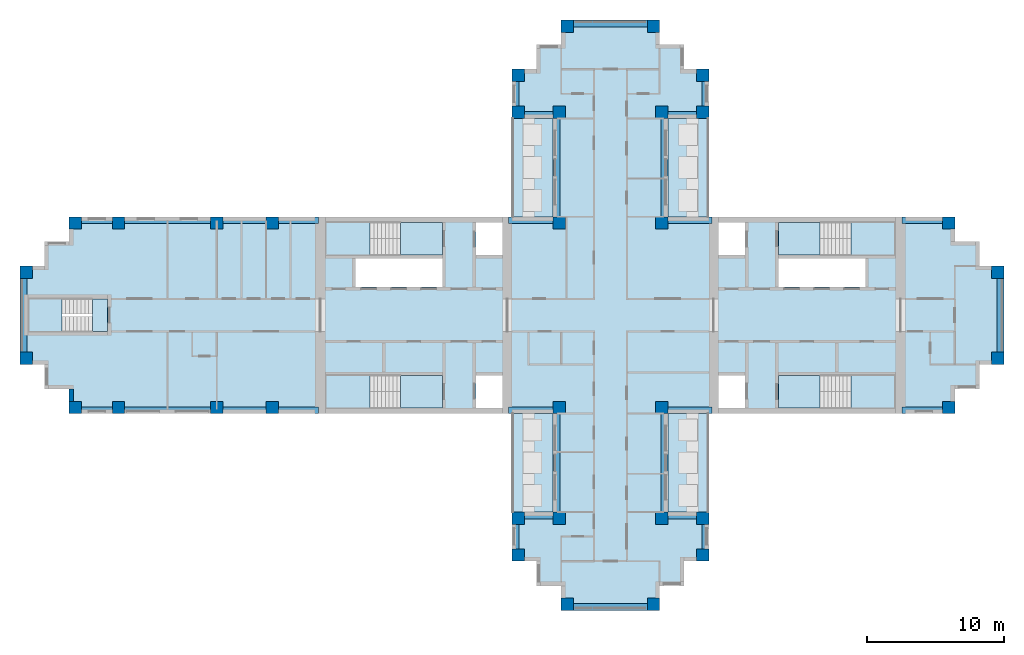
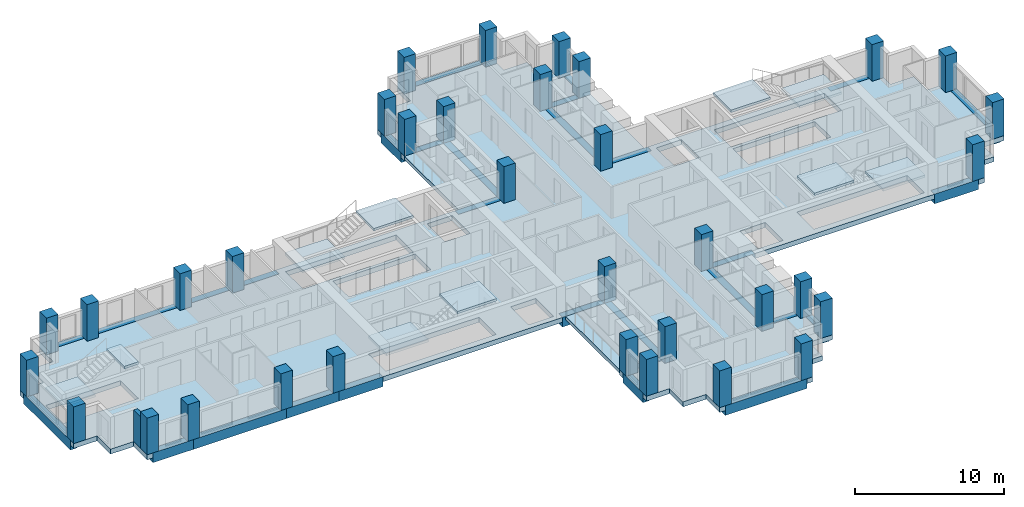
# One storey, part 1 of 11: 34 columns, 30 beams, 15 slabs, 1 wall, 5 elements without a shape of their own.
"""IFC4 building model written with IfcOpenShell, lengths in metres."""

from ifc_helpers import new_model, si_unit, direction, frame, frame_2d, origin, origin_2d, place, context, subcontext, project, spatial, polyline, rectangle, outline, extrude, material, layer, layer_set, material_profile, profile_set, type_object, element, aggregate, save


model = new_model("IFC4")

# Units and contexts
model_context = context("Model", 3, precision=1e-05, world=origin(), true_north=direction((0.0, 1.0)))
body_context = subcontext(model_context, "Body", "Model", "MODEL_VIEW")
ifc_project = project(units=[si_unit("LENGTHUNIT", "METRE"), si_unit("AREAUNIT", "SQUARE_METRE"), si_unit("VOLUMEUNIT", "CUBIC_METRE"), si_unit("PLANEANGLEUNIT", "RADIAN"), si_unit("MASSUNIT", "GRAM", prefix="KILO")], contexts=[model_context])

# Site, building, storey
site_placement = place(None, origin())
site = spatial("IfcSite", under=ifc_project, at=site_placement, CompositionType="ELEMENT")
building_placement = place(site_placement, origin())
building = spatial("IfcBuilding", under=site, at=building_placement, Name="Fustian Cross Tower", CompositionType="ELEMENT")
storey_placement = place(building_placement, frame((0.0, 0.0, 173.699951171875)))
storey = spatial("IfcBuildingStorey", under=building, at=storey_placement, Name="L54", CompositionType="ELEMENT", Elevation=173.699951171875)

# Columns
ifc_material_1 = material(Name="Concrete C40/50", Category="concrete")
ifc_material_profile_1 = material_profile(ifc_material_1, rectangle(XDim=0.89990234375, YDim=0.89990234375, at=origin_2d()), Name="RC 900x900")
ifc_profile_set_1 = profile_set([ifc_material_profile_1], Name="Concrete C40/50")
column_type = type_object("IfcColumnType", Name="COLUMN RC 900x900 C40/50", PredefinedType="COLUMN", material=ifc_profile_set_1)
for number, where, z_axis, x_axis, name in (
    (1, (-42.75, -3.14990234375, 0.0), (0.0, 0.0, 1.0), (1.0, 0.0, 0.0), "COLUMN 001"),
    (2, (-42.75, 3.14990234375, 0.0), (0.0, 0.0, 1.0), (1.0, 0.0, 0.0), "COLUMN 002"),
    (3, (-39.14990234375, -6.75, 0.0), (0.0, 0.0, 1.0), (1.0, 0.0, 0.0), "COLUMN 003"),
    (4, (-39.14990234375, 6.75, 0.0), (0.0, 0.0, 1.0), (1.0, 0.0, 0.0), "COLUMN 004"),
    (5, (-36.0, -6.75, 0.0), (0.0, 0.0, 1.0), (1.0, 0.0, 0.0), "COLUMN 005"),
    (6, (-36.0, 6.75, 0.0), (0.0, 0.0, 1.0), (1.0, 0.0, 0.0), "COLUMN 006"),
    (7, (-28.800048828125, -6.75, 0.0), (0.0, 0.0, 1.0), (1.0, 0.0, 0.0), "COLUMN 007"),
    (8, (-28.800048828125, 6.75, 0.0), (0.0, 0.0, 1.0), (1.0, 0.0, 0.0), "COLUMN 010"),
    (9, (-24.75, -6.75, 0.0), (0.0, 0.0, 1.0), (1.0, 0.0, 0.0), "COLUMN 011"),
    (10, (-24.75, 6.75, 0.0), (0.0, 0.0, 1.0), (1.0, 0.0, 0.0), "COLUMN 012"),
    (11, (-6.75, -17.550048828125, 0.0), (0.0, 0.0, 1.0), (1.0, 0.0, 0.0), "COLUMN 017"),
    (12, (-6.75, -14.85009765625, 0.0), (0.0, 0.0, 1.0), (1.0, 0.0, 0.0), "COLUMN 018"),
    (13, (-6.75, 14.85009765625, 0.0), (0.0, 0.0, 1.0), (1.0, 0.0, 0.0), "COLUMN 019"),
    (14, (-6.75, 17.550048828125, 0.0), (0.0, 0.0, 1.0), (1.0, 0.0, 0.0), "COLUMN 020"),
    (15, (-3.75, -14.85009765625, 0.0), (0.0, 0.0, 1.0), (1.0, 0.0, 0.0), "COLUMN 025"),
    (16, (-3.75, -6.75, 0.0), (0.0, 0.0, 1.0), (1.0, 0.0, 0.0), "COLUMN 026"),
    (17, (-3.75, 6.75, 0.0), (0.0, 0.0, 1.0), (1.0, 0.0, 0.0), "COLUMN 027"),
    (18, (-3.75, 14.85009765625, 0.0), (0.0, 0.0, 1.0), (1.0, 0.0, 0.0), "COLUMN 028"),
    (19, (-3.14990234375, -21.14990234375, 0.0), (0.0, 0.0, 1.0), (1.0, 0.0, 0.0), "COLUMN 030"),
    (20, (-3.14990234375, 21.14990234375, 0.0), (0.0, 0.0, 1.0), (1.0, 0.0, 0.0), "COLUMN 031"),
    (21, (3.14990234375, -21.14990234375, 0.0), (0.0, 0.0, 1.0), (1.0, 0.0, 0.0), "COLUMN 034"),
    (22, (3.14990234375, 21.14990234375, 0.0), (0.0, 0.0, 1.0), (1.0, 0.0, 0.0), "COLUMN 035"),
    (23, (3.75, -14.85009765625, 0.0), (0.0, 0.0, 1.0), (1.0, 0.0, 0.0), "COLUMN 037"),
    (24, (3.75, -6.75, 0.0), (0.0, 0.0, 1.0), (1.0, 0.0, 0.0), "COLUMN 038"),
    (25, (3.75, 6.75, 0.0), (0.0, 0.0, 1.0), (1.0, 0.0, 0.0), "COLUMN 039"),
    (26, (3.75, 14.85009765625, 0.0), (0.0, 0.0, 1.0), (1.0, 0.0, 0.0), "COLUMN 040"),
    (27, (6.75, -17.550048828125, 0.0), (0.0, 0.0, 1.0), (1.0, 0.0, 0.0), "COLUMN 045"),
    (28, (6.75, -14.85009765625, 0.0), (0.0, 0.0, 1.0), (1.0, 0.0, 0.0), "COLUMN 046"),
    (29, (6.75, 14.85009765625, 0.0), (0.0, 0.0, 1.0), (1.0, 0.0, 0.0), "COLUMN 047"),
    (30, (6.75, 17.550048828125, 0.0), (0.0, 0.0, 1.0), (1.0, 0.0, 0.0), "COLUMN 048"),
    (31, (24.75, -6.75, 0.0), (0.0, 0.0, 1.0), (1.0, 0.0, 0.0), "COLUMN 053"),
    (32, (24.75, 6.75, 0.0), (0.0, 0.0, 1.0), (1.0, 0.0, 0.0), "COLUMN 054"),
    (33, (28.35009765625, -3.14990234375, 0.0), (0.0, 0.0, 1.0), (1.0, 0.0, 0.0), "COLUMN 056"),
    (34, (28.35009765625, 3.14990234375, 0.0), (0.0, 0.0, 1.0), (1.0, 0.0, 0.0), "COLUMN 057"),
):
    element("IfcColumn", number, at=place(storey_placement, frame(where, z_axis=z_axis, x_axis=x_axis)), inside=storey, type_object=column_type, Name=name, PredefinedType="COLUMN", context=body_context, shape_type="SweptSolid", body=[
        extrude(rectangle(XDim=0.89990234375, YDim=0.89990234375, at=origin_2d()), origin(), (0.0, 0.0, 1.0), 3.0),
    ])

# Beams
ifc_material_2 = material(Name="Concrete C50/60", Category="concrete")
ifc_material_profile_2 = material_profile(ifc_material_2, rectangle(XDim=0.5, YDim=0.800048828125, at=origin_2d()), Name="RC 500x800")
ifc_profile_set_2 = profile_set([ifc_material_profile_2], Name="Concrete C50/60")
beam_type = type_object("IfcBeamType", Name="EDGE BEAM RC 500x800 C50/60", PredefinedType="SPANDREL", material=ifc_profile_set_2)
beam_1_placement = place(storey_placement, frame((21.35009765625, -6.949951171875, -0.39990234375), z_axis=(1.0, 0.0, 0.0), x_axis=(0.0, 1.0, 0.0)))
element("IfcBeam", 35, at=beam_1_placement, inside=storey, type_object=beam_type, Name="EDGE BEAM L54-01", PredefinedType="SPANDREL", context=body_context, shape_type="SweptSolid", body=[
    extrude(rectangle(XDim=0.5, YDim=0.800048828125, at=origin_2d()), origin(), (0.0, 0.0, 1.0), 3.39990234375),
])
beam_2_placement = place(storey_placement, frame((28.550048828125, -3.14990234375, -0.39990234375), z_axis=(0.0, 1.0, 0.0), x_axis=(-1.0, 0.0, 0.0)))
element("IfcBeam", 36, at=beam_2_placement, inside=storey, type_object=beam_type, Name="EDGE BEAM L54-02", PredefinedType="SPANDREL", context=body_context, shape_type="SweptSolid", body=[
    extrude(rectangle(XDim=0.5, YDim=0.800048828125, at=origin_2d()), origin(), (0.0, 0.0, 1.0), 6.2998046875),
])
beam_3_placement = place(storey_placement, frame((24.75, 6.949951171875, -0.39990234375), z_axis=(-1.0, 0.0, 0.0), x_axis=(0.0, -1.0, 0.0)))
element("IfcBeam", 37, at=beam_3_placement, inside=storey, type_object=beam_type, Name="EDGE BEAM L54-03", PredefinedType="SPANDREL", context=body_context, shape_type="SweptSolid", body=[
    extrude(rectangle(XDim=0.5, YDim=0.800048828125, at=origin_2d()), origin(), (0.0, 0.0, 1.0), 3.39990234375),
])
beam_4_placement = place(storey_placement, frame((7.449951171875, 6.949951171875, -0.39990234375), z_axis=(-1.0, 0.0, 0.0), x_axis=(0.0, -1.0, 0.0)))
element("IfcBeam", 38, at=beam_4_placement, inside=storey, type_object=beam_type, Name="EDGE BEAM L54-04", PredefinedType="SPANDREL", context=body_context, shape_type="SweptSolid", body=[
    extrude(rectangle(XDim=0.5, YDim=0.800048828125, at=origin_2d()), origin(), (0.0, 0.0, 1.0), 3.699951171875),
])
beam_5_placement = place(storey_placement, frame((3.949951171875, 6.75, -0.39990234375), z_axis=(0.0, 1.0, 0.0), x_axis=(-1.0, 0.0, 0.0)))
element("IfcBeam", 39, at=beam_5_placement, inside=storey, type_object=beam_type, Name="EDGE BEAM L54-05", PredefinedType="SPANDREL", context=body_context, shape_type="SweptSolid", body=[
    extrude(rectangle(XDim=0.5, YDim=0.800048828125, at=origin_2d()), origin(), (0.0, 0.0, 1.0), 8.10009765625),
])
beam_6_placement = place(storey_placement, frame((3.75, 14.64990234375, -0.39990234375), z_axis=(1.0, 0.0, 0.0), x_axis=(0.0, 1.0, 0.0)))
element("IfcBeam", 40, at=beam_6_placement, inside=storey, type_object=beam_type, Name="EDGE BEAM L54-06", PredefinedType="SPANDREL", context=body_context, shape_type="SweptSolid", body=[
    extrude(rectangle(XDim=0.5, YDim=0.800048828125, at=origin_2d()), origin(), (0.0, 0.0, 1.0), 3.0),
])
beam_7_placement = place(storey_placement, frame((6.949951171875, 14.85009765625, -0.39990234375), z_axis=(0.0, 1.0, 0.0), x_axis=(-1.0, 0.0, 0.0)))
element("IfcBeam", 41, at=beam_7_placement, inside=storey, type_object=beam_type, Name="EDGE BEAM L54-07", PredefinedType="SPANDREL", context=body_context, shape_type="SweptSolid", body=[
    extrude(rectangle(XDim=0.5, YDim=0.800048828125, at=origin_2d()), origin(), (0.0, 0.0, 1.0), 2.699951171875),
])
beam_8_placement = place(storey_placement, frame((3.14990234375, 21.35009765625, -0.39990234375), z_axis=(-1.0, 0.0, 0.0), x_axis=(0.0, -1.0, 0.0)))
element("IfcBeam", 42, at=beam_8_placement, inside=storey, type_object=beam_type, Name="EDGE BEAM L54-08", PredefinedType="SPANDREL", context=body_context, shape_type="SweptSolid", body=[
    extrude(rectangle(XDim=0.5, YDim=0.800048828125, at=origin_2d()), origin(), (0.0, 0.0, 1.0), 6.2998046875),
])
beam_9_placement = place(storey_placement, frame((-6.949951171875, 17.550048828125, -0.39990234375), z_axis=(0.0, -1.0, 0.0), x_axis=(1.0, 0.0, 0.0)))
element("IfcBeam", 43, at=beam_9_placement, inside=storey, type_object=beam_type, Name="EDGE BEAM L54-09", PredefinedType="SPANDREL", context=body_context, shape_type="SweptSolid", body=[
    extrude(rectangle(XDim=0.5, YDim=0.800048828125, at=origin_2d()), origin(), (0.0, 0.0, 1.0), 2.699951171875),
])
beam_10_placement = place(storey_placement, frame((-6.75, 14.64990234375, -0.39990234375), z_axis=(1.0, 0.0, 0.0), x_axis=(0.0, 1.0, 0.0)))
element("IfcBeam", 44, at=beam_10_placement, inside=storey, type_object=beam_type, Name="EDGE BEAM L54-10", PredefinedType="SPANDREL", context=body_context, shape_type="SweptSolid", body=[
    extrude(rectangle(XDim=0.5, YDim=0.800048828125, at=origin_2d()), origin(), (0.0, 0.0, 1.0), 3.0),
])
beam_11_placement = place(storey_placement, frame((-3.949951171875, 14.85009765625, -0.39990234375), z_axis=(0.0, -1.0, 0.0), x_axis=(1.0, 0.0, 0.0)))
element("IfcBeam", 45, at=beam_11_placement, inside=storey, type_object=beam_type, Name="EDGE BEAM L54-11", PredefinedType="SPANDREL", context=body_context, shape_type="SweptSolid", body=[
    extrude(rectangle(XDim=0.5, YDim=0.800048828125, at=origin_2d()), origin(), (0.0, 0.0, 1.0), 8.10009765625),
])
beam_12_placement = place(storey_placement, frame((-3.75, 6.949951171875, -0.39990234375), z_axis=(-1.0, 0.0, 0.0), x_axis=(0.0, -1.0, 0.0)))
element("IfcBeam", 46, at=beam_12_placement, inside=storey, type_object=beam_type, Name="EDGE BEAM L54-12", PredefinedType="SPANDREL", context=body_context, shape_type="SweptSolid", body=[
    extrude(rectangle(XDim=0.5, YDim=0.800048828125, at=origin_2d()), origin(), (0.0, 0.0, 1.0), 3.699951171875),
])
beam_13_placement = place(storey_placement, frame((-21.35009765625, 6.949951171875, -0.39990234375), z_axis=(-1.0, 0.0, 0.0), x_axis=(0.0, -1.0, 0.0)))
element("IfcBeam", 47, at=beam_13_placement, inside=storey, type_object=beam_type, Name="EDGE BEAM L54-13", PredefinedType="SPANDREL", context=body_context, shape_type="SweptSolid", body=[
    extrude(rectangle(XDim=0.5, YDim=0.800048828125, at=origin_2d()), origin(), (0.0, 0.0, 1.0), 3.39990234375),
])
beam_14_placement = place(storey_placement, frame((-24.75, 6.949951171875, -0.39990234375), z_axis=(-1.0, 0.0, 0.0), x_axis=(0.0, -1.0, 0.0)))
element("IfcBeam", 48, at=beam_14_placement, inside=storey, type_object=beam_type, Name="EDGE BEAM L54-14", PredefinedType="SPANDREL", context=body_context, shape_type="SweptSolid", body=[
    extrude(rectangle(XDim=0.5, YDim=0.800048828125, at=origin_2d()), origin(), (0.0, 0.0, 1.0), 4.050048828125),
])
beam_15_placement = place(storey_placement, frame((-28.800048828125, 6.949951171875, -0.39990234375), z_axis=(-1.0, 0.0, 0.0), x_axis=(0.0, -1.0, 0.0)))
element("IfcBeam", 49, at=beam_15_placement, inside=storey, type_object=beam_type, Name="EDGE BEAM L54-15", PredefinedType="SPANDREL", context=body_context, shape_type="SweptSolid", body=[
    extrude(rectangle(XDim=0.5, YDim=0.800048828125, at=origin_2d()), origin(), (0.0, 0.0, 1.0), 7.199951171875),
])
beam_16_placement = place(storey_placement, frame((-36.0, 6.949951171875, -0.39990234375), z_axis=(-1.0, 0.0, 0.0), x_axis=(0.0, -1.0, 0.0)))
element("IfcBeam", 50, at=beam_16_placement, inside=storey, type_object=beam_type, Name="EDGE BEAM L54-16", PredefinedType="SPANDREL", context=body_context, shape_type="SweptSolid", body=[
    extrude(rectangle(XDim=0.5, YDim=0.800048828125, at=origin_2d()), origin(), (0.0, 0.0, 1.0), 3.14990234375),
])
beam_17_placement = place(storey_placement, frame((-42.949951171875, 3.14990234375, -0.39990234375), z_axis=(0.0, -1.0, 0.0), x_axis=(1.0, 0.0, 0.0)))
element("IfcBeam", 51, at=beam_17_placement, inside=storey, type_object=beam_type, Name="EDGE BEAM L54-17", PredefinedType="SPANDREL", context=body_context, shape_type="SweptSolid", body=[
    extrude(rectangle(XDim=0.5, YDim=0.800048828125, at=origin_2d()), origin(), (0.0, 0.0, 1.0), 6.2998046875),
])
beam_18_placement = place(storey_placement, frame((-39.14990234375, -6.949951171875, -0.39990234375), z_axis=(1.0, 0.0, 0.0), x_axis=(0.0, 1.0, 0.0)))
element("IfcBeam", 52, at=beam_18_placement, inside=storey, type_object=beam_type, Name="EDGE BEAM L54-18", PredefinedType="SPANDREL", context=body_context, shape_type="SweptSolid", body=[
    extrude(rectangle(XDim=0.5, YDim=0.800048828125, at=origin_2d()), origin(), (0.0, 0.0, 1.0), 3.14990234375),
])
beam_19_placement = place(storey_placement, frame((-36.0, -6.949951171875, -0.39990234375), z_axis=(1.0, 0.0, 0.0), x_axis=(0.0, 1.0, 0.0)))
element("IfcBeam", 53, at=beam_19_placement, inside=storey, type_object=beam_type, Name="EDGE BEAM L54-19", PredefinedType="SPANDREL", context=body_context, shape_type="SweptSolid", body=[
    extrude(rectangle(XDim=0.5, YDim=0.800048828125, at=origin_2d()), origin(), (0.0, 0.0, 1.0), 7.199951171875),
])
beam_20_placement = place(storey_placement, frame((-28.800048828125, -6.949951171875, -0.39990234375), z_axis=(1.0, 0.0, 0.0), x_axis=(0.0, 1.0, 0.0)))
element("IfcBeam", 54, at=beam_20_placement, inside=storey, type_object=beam_type, Name="EDGE BEAM L54-20", PredefinedType="SPANDREL", context=body_context, shape_type="SweptSolid", body=[
    extrude(rectangle(XDim=0.5, YDim=0.800048828125, at=origin_2d()), origin(), (0.0, 0.0, 1.0), 4.050048828125),
])
beam_21_placement = place(storey_placement, frame((-24.75, -6.949951171875, -0.39990234375), z_axis=(1.0, 0.0, 0.0), x_axis=(0.0, 1.0, 0.0)))
element("IfcBeam", 55, at=beam_21_placement, inside=storey, type_object=beam_type, Name="EDGE BEAM L54-21", PredefinedType="SPANDREL", context=body_context, shape_type="SweptSolid", body=[
    extrude(rectangle(XDim=0.5, YDim=0.800048828125, at=origin_2d()), origin(), (0.0, 0.0, 1.0), 3.39990234375),
])
beam_22_placement = place(storey_placement, frame((-7.449951171875, -6.949951171875, -0.39990234375), z_axis=(1.0, 0.0, 0.0), x_axis=(0.0, 1.0, 0.0)))
element("IfcBeam", 56, at=beam_22_placement, inside=storey, type_object=beam_type, Name="EDGE BEAM L54-22", PredefinedType="SPANDREL", context=body_context, shape_type="SweptSolid", body=[
    extrude(rectangle(XDim=0.5, YDim=0.800048828125, at=origin_2d()), origin(), (0.0, 0.0, 1.0), 3.699951171875),
])
beam_23_placement = place(storey_placement, frame((-3.949951171875, -6.75, -0.39990234375), z_axis=(0.0, -1.0, 0.0), x_axis=(1.0, 0.0, 0.0)))
element("IfcBeam", 57, at=beam_23_placement, inside=storey, type_object=beam_type, Name="EDGE BEAM L54-23", PredefinedType="SPANDREL", context=body_context, shape_type="SweptSolid", body=[
    extrude(rectangle(XDim=0.5, YDim=0.800048828125, at=origin_2d()), origin(), (0.0, 0.0, 1.0), 8.10009765625),
])
beam_24_placement = place(storey_placement, frame((-3.75, -14.64990234375, -0.39990234375), z_axis=(-1.0, 0.0, 0.0), x_axis=(0.0, -1.0, 0.0)))
element("IfcBeam", 58, at=beam_24_placement, inside=storey, type_object=beam_type, Name="EDGE BEAM L54-24", PredefinedType="SPANDREL", context=body_context, shape_type="SweptSolid", body=[
    extrude(rectangle(XDim=0.5, YDim=0.800048828125, at=origin_2d()), origin(), (0.0, 0.0, 1.0), 3.0),
])
beam_25_placement = place(storey_placement, frame((-6.949951171875, -14.85009765625, -0.39990234375), z_axis=(0.0, -1.0, 0.0), x_axis=(1.0, 0.0, 0.0)))
element("IfcBeam", 59, at=beam_25_placement, inside=storey, type_object=beam_type, Name="EDGE BEAM L54-25", PredefinedType="SPANDREL", context=body_context, shape_type="SweptSolid", body=[
    extrude(rectangle(XDim=0.5, YDim=0.800048828125, at=origin_2d()), origin(), (0.0, 0.0, 1.0), 2.699951171875),
])
beam_26_placement = place(storey_placement, frame((-3.14990234375, -21.35009765625, -0.39990234375), z_axis=(1.0, 0.0, 0.0), x_axis=(0.0, 1.0, 0.0)))
element("IfcBeam", 60, at=beam_26_placement, inside=storey, type_object=beam_type, Name="EDGE BEAM L54-26", PredefinedType="SPANDREL", context=body_context, shape_type="SweptSolid", body=[
    extrude(rectangle(XDim=0.5, YDim=0.800048828125, at=origin_2d()), origin(), (0.0, 0.0, 1.0), 6.2998046875),
])
beam_27_placement = place(storey_placement, frame((6.949951171875, -17.550048828125, -0.39990234375), z_axis=(0.0, 1.0, 0.0), x_axis=(-1.0, 0.0, 0.0)))
element("IfcBeam", 61, at=beam_27_placement, inside=storey, type_object=beam_type, Name="EDGE BEAM L54-27", PredefinedType="SPANDREL", context=body_context, shape_type="SweptSolid", body=[
    extrude(rectangle(XDim=0.5, YDim=0.800048828125, at=origin_2d()), origin(), (0.0, 0.0, 1.0), 2.699951171875),
])
beam_28_placement = place(storey_placement, frame((6.75, -14.64990234375, -0.39990234375), z_axis=(-1.0, 0.0, 0.0), x_axis=(0.0, -1.0, 0.0)))
element("IfcBeam", 62, at=beam_28_placement, inside=storey, type_object=beam_type, Name="EDGE BEAM L54-28", PredefinedType="SPANDREL", context=body_context, shape_type="SweptSolid", body=[
    extrude(rectangle(XDim=0.5, YDim=0.800048828125, at=origin_2d()), origin(), (0.0, 0.0, 1.0), 3.0),
])
beam_29_placement = place(storey_placement, frame((3.949951171875, -14.85009765625, -0.39990234375), z_axis=(0.0, 1.0, 0.0), x_axis=(-1.0, 0.0, 0.0)))
element("IfcBeam", 63, at=beam_29_placement, inside=storey, type_object=beam_type, Name="EDGE BEAM L54-29", PredefinedType="SPANDREL", context=body_context, shape_type="SweptSolid", body=[
    extrude(rectangle(XDim=0.5, YDim=0.800048828125, at=origin_2d()), origin(), (0.0, 0.0, 1.0), 8.10009765625),
])
beam_30_placement = place(storey_placement, frame((3.75, -6.949951171875, -0.39990234375), z_axis=(1.0, 0.0, 0.0), x_axis=(0.0, 1.0, 0.0)))
element("IfcBeam", 64, at=beam_30_placement, inside=storey, type_object=beam_type, Name="EDGE BEAM L54-30", PredefinedType="SPANDREL", context=body_context, shape_type="SweptSolid", body=[
    extrude(rectangle(XDim=0.5, YDim=0.800048828125, at=origin_2d()), origin(), (0.0, 0.0, 1.0), 3.699951171875),
])

# Slabs
ifc_material_3 = material(Name="Concrete C40/50", Category="concrete")
ifc_layer_1 = layer(ifc_material_3, 0.300048828125)
ifc_layer_set_1 = layer_set([ifc_layer_1], Name="Concrete C40/50")
slab_type_1 = type_object("IfcSlabType", Name="BS1 BALCONY SLAB 300", PredefinedType="FLOOR", material=ifc_layer_set_1)
slab_1_placement = place(storey_placement, frame((0.0, 0.0, -0.300048828125)))
element("IfcSlab", 65, at=slab_1_placement, inside=storey, type_object=slab_type_1, Name="Balcony slab", PredefinedType="FLOOR", context=body_context, shape_type="SweptSolid", body=[
    extrude(outline(polyline([(4.199951171875, 7.199951171875), (7.199951171875, 7.199951171875), (7.199951171875, 14.39990234375), (4.199951171875, 14.39990234375), (4.199951171875, 7.199951171875)])), origin(), (0.0, 0.0, 1.0), 0.300048828125),
])
slab_2_placement = place(storey_placement, frame((0.0, 0.0, -0.300048828125)))
element("IfcSlab", 66, at=slab_2_placement, inside=storey, type_object=slab_type_1, Name="Balcony slab", PredefinedType="FLOOR", context=body_context, shape_type="SweptSolid", body=[
    extrude(outline(polyline([(-7.199951171875, 7.199951171875), (-4.199951171875, 7.199951171875), (-4.199951171875, 14.39990234375), (-7.199951171875, 14.39990234375), (-7.199951171875, 7.199951171875)])), origin(), (0.0, 0.0, 1.0), 0.300048828125),
])
slab_3_placement = place(storey_placement, frame((0.0, 0.0, -0.300048828125)))
element("IfcSlab", 67, at=slab_3_placement, inside=storey, type_object=slab_type_1, Name="Balcony slab", PredefinedType="FLOOR", context=body_context, shape_type="SweptSolid", body=[
    extrude(outline(polyline([(4.199951171875, -14.39990234375), (7.199951171875, -14.39990234375), (7.199951171875, -7.199951171875), (4.199951171875, -7.199951171875), (4.199951171875, -14.39990234375)])), origin(), (0.0, 0.0, 1.0), 0.300048828125),
])
slab_4_placement = place(storey_placement, frame((0.0, 0.0, -0.300048828125)))
element("IfcSlab", 68, at=slab_4_placement, inside=storey, type_object=slab_type_1, Name="Balcony slab", PredefinedType="FLOOR", context=body_context, shape_type="SweptSolid", body=[
    extrude(outline(polyline([(-7.199951171875, -14.39990234375), (-4.199951171875, -14.39990234375), (-4.199951171875, -7.199951171875), (-7.199951171875, -7.199951171875), (-7.199951171875, -14.39990234375)])), origin(), (0.0, 0.0, 1.0), 0.300048828125),
])
ifc_material_4 = material(Name="Concrete C40/50", Category="concrete")
ifc_layer_2 = layer(ifc_material_4, 0.39990234375)
ifc_layer_set_2 = layer_set([ifc_layer_2], Name="Concrete C40/50")
slab_type_2 = type_object("IfcSlabType", Name="FLAT SLAB 400", PredefinedType="FLOOR", material=ifc_layer_set_2)
slab_5_placement = place(storey_placement, frame((0.0, 0.0, -0.39990234375)))
element("IfcSlab", 69, at=slab_5_placement, inside=storey, type_object=slab_type_2, Name="FLOOR SLAB L54-1", PredefinedType="FLOOR", context=body_context, shape_type="SweptSolid", body=[
    extrude(outline(polyline([(-5.39990234375, -19.800048828125), (-5.39990234375, -18.0), (-7.199951171875, -18.0), (-7.199951171875, -14.39990234375), (-4.199951171875, -14.39990234375), (-4.199951171875, -7.199951171875), (-39.60009765625, -7.199951171875), (-39.60009765625, -5.39990234375), (-41.39990234375, -5.39990234375), (-41.39990234375, -3.60009765625), (-43.199951171875, -3.60009765625), (-43.199951171875, 3.60009765625), (-41.39990234375, 3.60009765625), (-41.39990234375, 5.39990234375), (-39.60009765625, 5.39990234375), (-39.60009765625, 7.199951171875), (-4.199951171875, 7.199951171875), (-4.199951171875, 14.39990234375), (-7.199951171875, 14.39990234375), (-7.199951171875, 18.0), (-5.39990234375, 18.0), (-5.39990234375, 19.800048828125), (-3.60009765625, 19.800048828125), (-3.60009765625, 21.60009765625), (3.60009765625, 21.60009765625), (3.60009765625, 19.800048828125), (5.39990234375, 19.800048828125), (5.39990234375, 18.0), (7.199951171875, 18.0), (7.199951171875, 14.39990234375), (4.199951171875, 14.39990234375), (4.199951171875, 7.199951171875), (25.199951171875, 7.199951171875), (25.199951171875, 5.39990234375), (27.0, 5.39990234375), (27.0, 3.60009765625), (28.800048828125, 3.60009765625), (28.800048828125, -3.60009765625), (27.0, -3.60009765625), (27.0, -5.39990234375), (25.199951171875, -5.39990234375), (25.199951171875, -7.199951171875), (4.199951171875, -7.199951171875), (4.199951171875, -14.39990234375), (7.199951171875, -14.39990234375), (7.199951171875, -18.0), (5.39990234375, -18.0), (5.39990234375, -19.800048828125), (3.60009765625, -19.800048828125), (3.60009765625, -21.60009765625), (-3.60009765625, -21.60009765625), (-3.60009765625, -19.800048828125), (-5.39990234375, -19.800048828125)]), holes=[polyline([(7.89990234375, 4.39990234375), (9.85009765625, 4.39990234375), (9.85009765625, 6.800048828125), (7.89990234375, 6.800048828125), (7.89990234375, 4.39990234375)]), polyline([(7.89990234375, -4.39990234375), (7.89990234375, -6.800048828125), (9.85009765625, -6.800048828125), (9.85009765625, -4.39990234375), (7.89990234375, -4.39990234375)]), polyline([(-7.89990234375, 6.800048828125), (-9.85009765625, 6.800048828125), (-9.85009765625, 4.39990234375), (-7.89990234375, 4.39990234375), (-7.89990234375, 6.800048828125)]), polyline([(-7.89990234375, -6.800048828125), (-7.89990234375, -4.39990234375), (-9.85009765625, -4.39990234375), (-9.85009765625, -6.800048828125), (-7.89990234375, -6.800048828125)]), polyline([(12.300048828125, 2.050048828125), (18.64990234375, 2.050048828125), (18.64990234375, 4.14990234375), (12.300048828125, 4.14990234375), (12.300048828125, 2.050048828125)]), polyline([(-18.64990234375, 4.14990234375), (-18.64990234375, 2.050048828125), (-12.300048828125, 2.050048828125), (-12.300048828125, 4.14990234375), (-18.64990234375, 4.14990234375)]), polyline([(20.85009765625, 6.699951171875), (12.300048828125, 6.699951171875), (12.300048828125, 4.39990234375), (20.85009765625, 4.39990234375), (20.85009765625, 6.699951171875)]), polyline([(20.85009765625, -6.699951171875), (20.85009765625, -4.39990234375), (12.300048828125, -4.39990234375), (12.300048828125, -6.699951171875), (20.85009765625, -6.699951171875)]), polyline([(-20.85009765625, 4.39990234375), (-12.300048828125, 4.39990234375), (-12.300048828125, 6.699951171875), (-20.85009765625, 6.699951171875), (-20.85009765625, 4.39990234375)]), polyline([(-20.85009765625, -4.39990234375), (-20.85009765625, -6.699951171875), (-12.300048828125, -6.699951171875), (-12.300048828125, -4.39990234375), (-20.85009765625, -4.39990234375)]), polyline([(-36.800048828125, 1.199951171875), (-42.60009765625, 1.199951171875), (-42.60009765625, -1.199951171875), (-36.800048828125, -1.199951171875), (-36.800048828125, 1.199951171875)])]), origin(), (0.0, 0.0, 1.0), 0.39990234375),
])

# Stair, slabs
ifc_material_5 = material(Name="Concrete C50/60", Category="concrete")
stair_type_1 = type_object("IfcStairType", Name="STAIR 1200 HALF TURN", PredefinedType="HALF_TURN_STAIR", material=ifc_material_5)
stair_1_placement = place(storey_placement, origin())
stair_1 = element("IfcStair", 70, at=stair_1_placement, inside=storey, type_object=stair_type_1, Name="Stair ST1", PredefinedType="HALF_TURN_STAIR")
ifc_material_6 = material(Name="Concrete C50/60", Category="concrete")
ifc_layer_3 = layer(ifc_material_6, 0.199951171875)
ifc_layer_set_3 = layer_set([ifc_layer_3], Name="Concrete C50/60")
slab_type_3 = type_object("IfcSlabType", Name="STAIR LANDING", PredefinedType="LANDING", material=ifc_layer_set_3)
slab_6_placement = place(storey_placement, frame((0.0, 0.0, 1.300048828125)))
slab_6 = element("IfcSlab", 71, at=slab_6_placement, type_object=slab_type_3, Name="ST1 landing 1", PredefinedType="LANDING", context=body_context, shape_type="SweptSolid", body=[
    extrude(outline(polyline([(17.590087890625, 4.39990234375), (20.85009765625, 4.39990234375), (20.85009765625, 6.800048828125), (17.590087890625, 6.800048828125), (17.590087890625, 4.39990234375)])), origin(), (0.0, 0.0, 1.0), 0.199951171875),
])
slab_7_placement = place(storey_placement, frame((0.0, 0.0, 2.800048828125)))
slab_7 = element("IfcSlab", 72, at=slab_7_placement, type_object=slab_type_3, Name="ST1 landing 2", PredefinedType="LANDING", context=body_context, shape_type="SweptSolid", body=[
    extrude(outline(polyline([(12.300048828125, 4.39990234375), (15.35009765625, 4.39990234375), (15.35009765625, 6.800048828125), (12.300048828125, 6.800048828125), (12.300048828125, 4.39990234375)])), origin(), (0.0, 0.0, 1.0), 0.199951171875),
])
aggregate(stair_1, [slab_6, slab_7])

stair_2_placement = place(storey_placement, origin())
stair_2 = element("IfcStair", 73, at=stair_2_placement, inside=storey, type_object=stair_type_1, Name="Stair ST2", PredefinedType="HALF_TURN_STAIR")
slab_8_placement = place(storey_placement, frame((0.0, 0.0, 1.300048828125)))
slab_8 = element("IfcSlab", 74, at=slab_8_placement, type_object=slab_type_3, Name="ST2 landing 1", PredefinedType="LANDING", context=body_context, shape_type="SweptSolid", body=[
    extrude(outline(polyline([(17.590087890625, -4.39990234375), (20.85009765625, -4.39990234375), (20.85009765625, -6.800048828125), (17.590087890625, -6.800048828125), (17.590087890625, -4.39990234375)])), origin(), (0.0, 0.0, 1.0), 0.199951171875),
])
slab_9_placement = place(storey_placement, frame((0.0, 0.0, 2.800048828125)))
slab_9 = element("IfcSlab", 75, at=slab_9_placement, type_object=slab_type_3, Name="ST2 landing 2", PredefinedType="LANDING", context=body_context, shape_type="SweptSolid", body=[
    extrude(outline(polyline([(12.300048828125, -4.39990234375), (15.35009765625, -4.39990234375), (15.35009765625, -6.800048828125), (12.300048828125, -6.800048828125), (12.300048828125, -4.39990234375)])), origin(), (0.0, 0.0, 1.0), 0.199951171875),
])
aggregate(stair_2, [slab_8, slab_9])

stair_3_placement = place(storey_placement, origin())
stair_3 = element("IfcStair", 76, at=stair_3_placement, inside=storey, type_object=stair_type_1, Name="Stair ST3", PredefinedType="HALF_TURN_STAIR")
slab_10_placement = place(storey_placement, frame((0.0, 0.0, 1.300048828125)))
slab_10 = element("IfcSlab", 77, at=slab_10_placement, type_object=slab_type_3, Name="ST3 landing 1", PredefinedType="LANDING", context=body_context, shape_type="SweptSolid", body=[
    extrude(outline(polyline([(-17.590087890625, 4.39990234375), (-20.85009765625, 4.39990234375), (-20.85009765625, 6.800048828125), (-17.590087890625, 6.800048828125), (-17.590087890625, 4.39990234375)])), origin(), (0.0, 0.0, 1.0), 0.199951171875),
])
slab_11_placement = place(storey_placement, frame((0.0, 0.0, 2.800048828125)))
slab_11 = element("IfcSlab", 78, at=slab_11_placement, type_object=slab_type_3, Name="ST3 landing 2", PredefinedType="LANDING", context=body_context, shape_type="SweptSolid", body=[
    extrude(outline(polyline([(-12.300048828125, 4.39990234375), (-15.35009765625, 4.39990234375), (-15.35009765625, 6.800048828125), (-12.300048828125, 6.800048828125), (-12.300048828125, 4.39990234375)])), origin(), (0.0, 0.0, 1.0), 0.199951171875),
])
aggregate(stair_3, [slab_10, slab_11])

stair_4_placement = place(storey_placement, origin())
stair_4 = element("IfcStair", 79, at=stair_4_placement, inside=storey, type_object=stair_type_1, Name="Stair ST4", PredefinedType="HALF_TURN_STAIR")
slab_12_placement = place(storey_placement, frame((0.0, 0.0, 1.300048828125)))
slab_12 = element("IfcSlab", 80, at=slab_12_placement, type_object=slab_type_3, Name="ST4 landing 1", PredefinedType="LANDING", context=body_context, shape_type="SweptSolid", body=[
    extrude(outline(polyline([(-17.590087890625, -4.39990234375), (-20.85009765625, -4.39990234375), (-20.85009765625, -6.800048828125), (-17.590087890625, -6.800048828125), (-17.590087890625, -4.39990234375)])), origin(), (0.0, 0.0, 1.0), 0.199951171875),
])
slab_13_placement = place(storey_placement, frame((0.0, 0.0, 2.800048828125)))
slab_13 = element("IfcSlab", 81, at=slab_13_placement, type_object=slab_type_3, Name="ST4 landing 2", PredefinedType="LANDING", context=body_context, shape_type="SweptSolid", body=[
    extrude(outline(polyline([(-12.300048828125, -4.39990234375), (-15.35009765625, -4.39990234375), (-15.35009765625, -6.800048828125), (-12.300048828125, -6.800048828125), (-12.300048828125, -4.39990234375)])), origin(), (0.0, 0.0, 1.0), 0.199951171875),
])
aggregate(stair_4, [slab_12, slab_13])

ifc_material_7 = material(Name="Concrete C50/60", Category="concrete")
stair_type_2 = type_object("IfcStairType", Name="STAIR 1100 HALF TURN", PredefinedType="HALF_TURN_STAIR", material=ifc_material_7)
stair_5_placement = place(storey_placement, origin())
stair_5 = element("IfcStair", 82, at=stair_5_placement, inside=storey, type_object=stair_type_2, Name="Stair ST9", PredefinedType="HALF_TURN_STAIR")
slab_14_placement = place(storey_placement, frame((0.0, 0.0, 1.300048828125)))
slab_14 = element("IfcSlab", 83, at=slab_14_placement, type_object=slab_type_3, Name="ST9 landing 1", PredefinedType="LANDING", context=body_context, shape_type="SweptSolid", body=[
    extrude(outline(polyline([(-40.139892578125, -1.199951171875), (-42.60009765625, -1.199951171875), (-42.60009765625, 1.199951171875), (-40.139892578125, 1.199951171875), (-40.139892578125, -1.199951171875)])), origin(), (0.0, 0.0, 1.0), 0.199951171875),
])
slab_15_placement = place(storey_placement, frame((0.0, 0.0, 2.800048828125)))
slab_15 = element("IfcSlab", 84, at=slab_15_placement, type_object=slab_type_3, Name="ST9 landing 2", PredefinedType="LANDING", context=body_context, shape_type="SweptSolid", body=[
    extrude(outline(polyline([(-36.800048828125, -1.199951171875), (-37.89990234375, -1.199951171875), (-37.89990234375, 1.199951171875), (-36.800048828125, 1.199951171875), (-36.800048828125, -1.199951171875)])), origin(), (0.0, 0.0, 1.0), 0.199951171875),
])
aggregate(stair_5, [slab_14, slab_15])

# Wall
ifc_material_8 = material(Name="Dark aluminium cladding on insulated backing wall", Category="aluminium")
ifc_layer_4 = layer(ifc_material_8, 0.300048828125)
ifc_layer_set_4 = layer_set([ifc_layer_4], Name="Dark aluminium cladding on insulated backing wall")
wall_type = type_object("IfcWallType", Name="XW1 EXTERNAL WALL 300", PredefinedType="SOLIDWALL", material=ifc_layer_set_4)
wall_placement = place(storey_placement, frame((-39.449951171875, -5.39990234375, 0.0), z_axis=(0.0, 0.0, 1.0), x_axis=(0.0, -1.0, 0.0)))
element("IfcWall", 85, at=wall_placement, inside=storey, type_object=wall_type, Name="External wall", PredefinedType="SOLIDWALL", context=body_context, shape_type="SweptSolid", body=[
    extrude(rectangle(XDim=0.900146484375, YDim=0.300048828125, at=frame_2d((0.4501953125, 0.0))), origin(), (0.0, 0.0, 1.0), 2.60009765625),
])

save(model, "model.ifc")
